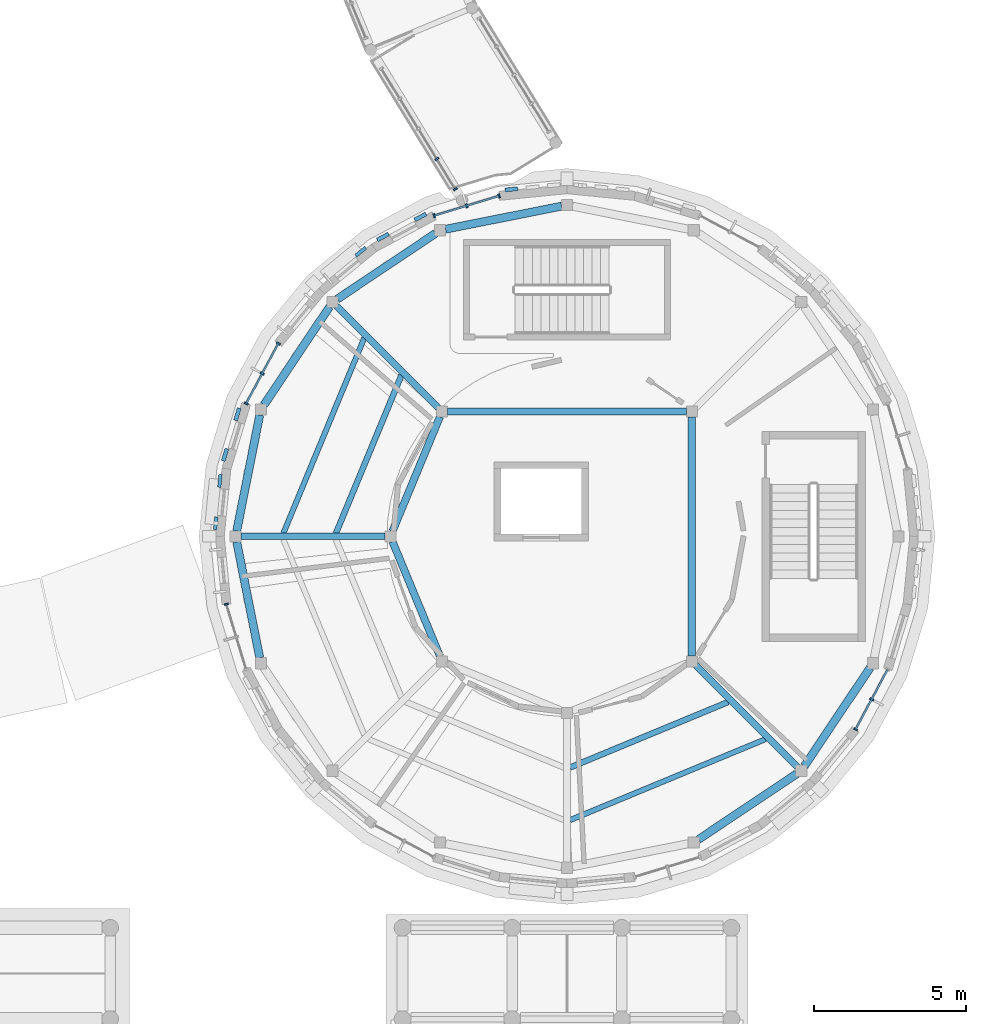
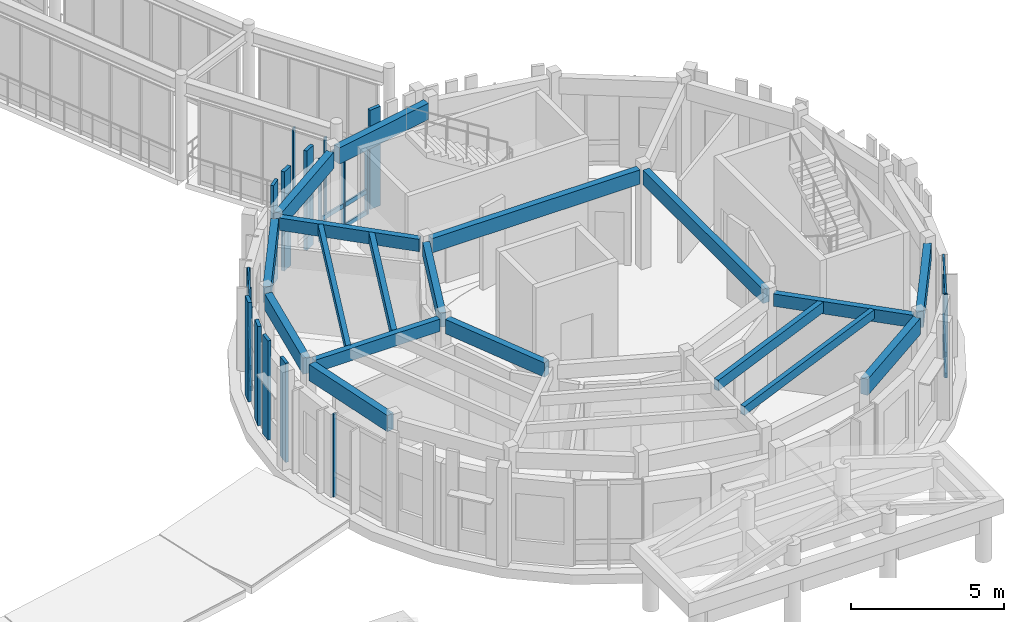
# One storey, part 23 of 80: 28 members, 18 beams, 5 elements without a shape of their own.
"""IFC4 building model written with IfcOpenShell, lengths in metres."""

from ifc_helpers import new_model, si_unit, direction, frame, origin, origin_2d, place, context, subcontext, project, spatial, rectangle, extrude, material, layer, layer_set, material_profile, profile_set, type_object, element, aggregate, save


model = new_model("IFC4")

# Units and contexts
model_context = context("Model", 3, precision=1e-05, world=origin(), true_north=direction((0.0, 1.0)))
body_context = subcontext(model_context, "Body", "Model", "MODEL_VIEW")
ifc_project = project(units=[si_unit("LENGTHUNIT", "METRE"), si_unit("AREAUNIT", "SQUARE_METRE"), si_unit("VOLUMEUNIT", "CUBIC_METRE"), si_unit("PLANEANGLEUNIT", "RADIAN"), si_unit("MASSUNIT", "GRAM", prefix="KILO")], contexts=[model_context])

# Site, building, storey
site_placement = place(None, origin())
site = spatial("IfcSite", under=ifc_project, at=site_placement, CompositionType="ELEMENT")
building_placement = place(site_placement, origin())
building = spatial("IfcBuilding", under=site, at=building_placement, Name="Aldenvaro Health Centre", CompositionType="ELEMENT")
storey_placement = place(building_placement, frame((0.0, 0.0, 4.550048828125)))
storey = spatial("IfcBuildingStorey", under=building, at=storey_placement, Name="L01", CompositionType="ELEMENT", Elevation=4.550048828125)

# Beams
ifc_material_1 = material(Name="Glulam GL28h", Category="wood")
ifc_material_profile_1 = material_profile(ifc_material_1, rectangle(XDim=0.175048828125, YDim=0.35009765625, at=origin_2d()), Name="GL 175x350", Category="wood")
ifc_profile_set_1 = profile_set([ifc_material_profile_1], Name="Glulam GL28h")
beam_type_1 = type_object("IfcBeamType", Name="BM-GL-350", PredefinedType="JOIST", material=ifc_profile_set_1)
for number, where, z_axis, x_axis, name in (
    (1, (147.843017578125, 25.01611328125, 3.780029296875), (-0.382677753705, -0.923881884669, 0.0), (0.923881884669, -0.382677753705, 0.0), "D6 L01 secondary joist 02.2"),
    (2, (154.59912109375, 9.18505859375, 3.780029296875), (0.923881884669, 0.382677753705, 0.0), (-0.382677753705, 0.923881884669, 0.0), "D6 L01 secondary joist 05.2"),
):
    element("IfcBeam", number, at=place(storey_placement, frame(where, z_axis=z_axis, x_axis=x_axis)), inside=storey, type_object=beam_type_1, Name=name, PredefinedType="JOIST", context=body_context, shape_type="SweptSolid", body=[
        extrude(rectangle(XDim=0.175048828125, YDim=0.35009765625, at=origin_2d()), origin(), (0.0, 0.0, 1.0), 6.94580078125),
    ])
ifc_material_profile_2 = material_profile(ifc_material_1, rectangle(XDim=0.18994140625, YDim=0.41796875, at=origin_2d()), Name="GL 190x418", Category="wood")
ifc_profile_set_2 = profile_set([ifc_material_profile_2], Name="Glulam GL28h")
beam_type_2 = type_object("IfcBeamType", Name="BM-GL-418", PredefinedType="JOIST", material=ifc_profile_set_2)
for number, where, z_axis, x_axis, name in (
    (3, (149.06494140625, 23.794921875, 3.745849609375), (-0.382783729155, -0.923837981842, 0.0), (0.923837981842, -0.382783729155, 0.0), "D6 L01 secondary joist 02.1"),
    (4, (154.59912109375, 10.912109375, 3.745849609375), (0.923837981842, 0.382783729155, 0.0), (-0.382783729155, 0.923837981842, 0.0), "D6 L01 secondary joist 05.1"),
):
    element("IfcBeam", number, at=place(storey_placement, frame(where, z_axis=z_axis, x_axis=x_axis)), inside=storey, type_object=beam_type_2, Name=name, PredefinedType="JOIST", context=body_context, shape_type="SweptSolid", body=[
        extrude(rectangle(XDim=0.18994140625, YDim=0.41796875, at=origin_2d()), origin(), (0.0, 0.0, 1.0), 5.624267578125),
    ])
ifc_material_profile_3 = material_profile(ifc_material_1, rectangle(XDim=0.215087890625, YDim=0.493896484375, at=origin_2d()), Name="GL 215x494", Category="wood")
ifc_profile_set_3 = profile_set([ifc_material_profile_3], Name="Glulam GL28h")
beam_type_3 = type_object("IfcBeamType", Name="BM-GL-494", PredefinedType="BEAM", material=ifc_profile_set_3)
beam_1_placement = place(storey_placement, frame((150.27001953125, 22.72998046875, 3.7080078125), z_axis=(-0.707106781187, 0.707106781187, 0.0), x_axis=(-0.707106781187, -0.707106781187, 0.0)))
element("IfcBeam", 5, at=beam_1_placement, inside=storey, type_object=beam_type_3, Name="D6 L01 radial beam 02", PredefinedType="BEAM", context=body_context, shape_type="SweptSolid", body=[
    extrude(rectangle(XDim=0.215087890625, YDim=0.493896484375, at=origin_2d()), origin(), (0.0, 0.0, 1.0), 4.715087890625),
])
beam_2_placement = place(storey_placement, frame((148.51708984375, 18.5, 3.7080078125), z_axis=(-1.0, 0.0, 0.0), x_axis=(0.0, -1.0, 0.0)))
element("IfcBeam", 6, at=beam_2_placement, inside=storey, type_object=beam_type_3, Name="D6 L01 radial beam 03", PredefinedType="BEAM", context=body_context, shape_type="SweptSolid", body=[
    extrude(rectangle(XDim=0.215087890625, YDim=0.493896484375, at=origin_2d()), origin(), (0.0, 0.0, 1.0), 4.714111328125),
])
beam_3_placement = place(storey_placement, frame((158.72998046875, 14.27001953125, 3.7080078125), z_axis=(0.707106781187, -0.707106781187, 0.0), x_axis=(0.707106781187, 0.707106781187, 0.0)))
element("IfcBeam", 7, at=beam_3_placement, inside=storey, type_object=beam_type_3, Name="D6 L01 radial beam 06", PredefinedType="BEAM", context=body_context, shape_type="SweptSolid", body=[
    extrude(rectangle(XDim=0.215087890625, YDim=0.493896484375, at=origin_2d()), origin(), (0.0, 0.0, 1.0), 4.715087890625),
])
ifc_material_profile_4 = material_profile(ifc_material_1, rectangle(XDim=0.239990234375, YDim=0.570068359375, at=origin_2d()), Name="GL 240x570", Category="wood")
ifc_profile_set_4 = profile_set([ifc_material_profile_4], Name="Glulam GL28h")
beam_type_4 = type_object("IfcBeamType", Name="BM-GL-570", PredefinedType="BEAM", material=ifc_profile_set_4)
beam_4_placement = place(storey_placement, frame((158.41796875, 22.60107421875, 3.669921875), z_axis=(-1.0, 0.0, 0.0), x_axis=(0.0, -1.0, 0.0)))
element("IfcBeam", 8, at=beam_4_placement, inside=storey, type_object=beam_type_4, Name="D6 L01 inner ring beam 01", PredefinedType="BEAM", context=body_context, shape_type="SweptSolid", body=[
    extrude(rectangle(XDim=0.239990234375, YDim=0.570068359375, at=origin_2d()), origin(), (0.0, 0.0, 1.0), 7.8359375),
])
for number, where, z_axis, x_axis, name in (
    (9, (150.3291015625, 22.431884765625, 3.669921875), (-0.382771753617, -0.923842943705, 0.0), (0.923842943705, -0.382771753617, 0.0), "D6 L01 inner ring beam 02"),
    (10, (148.77001953125, 18.3310546875, 3.669921875), (0.382771753617, -0.923842943705, 0.0), (0.923842943705, 0.382771753617, 0.0), "D6 L01 inner ring beam 03"),
):
    element("IfcBeam", number, at=place(storey_placement, frame(where, z_axis=z_axis, x_axis=x_axis)), inside=storey, type_object=beam_type_4, Name=name, PredefinedType="BEAM", context=body_context, shape_type="SweptSolid", body=[
        extrude(rectangle(XDim=0.239990234375, YDim=0.570068359375, at=origin_2d()), origin(), (0.0, 0.0, 1.0), 4.0732421875),
    ])
beam_5_placement = place(storey_placement, frame((158.60107421875, 14.5810546875, 3.669921875), z_axis=(0.0, 1.0, 0.0), x_axis=(-1.0, 0.0, 0.0)))
element("IfcBeam", 11, at=beam_5_placement, inside=storey, type_object=beam_type_4, Name="D6 L01 inner ring beam 06", PredefinedType="BEAM", context=body_context, shape_type="SweptSolid", body=[
    extrude(rectangle(XDim=0.239990234375, YDim=0.570068359375, at=origin_2d()), origin(), (0.0, 0.0, 1.0), 7.8369140625),
])
ifc_material_profile_5 = material_profile(ifc_material_1, rectangle(XDim=0.264892578125, YDim=0.64599609375, at=origin_2d()), Name="GL 265x646", Category="wood")
ifc_profile_set_5 = profile_set([ifc_material_profile_5], Name="Glulam GL28h")
beam_type_5 = type_object("IfcBeamType", Name="BM-GL-646", PredefinedType="SPANDREL", material=ifc_profile_set_5)
beam_6_placement = place(storey_placement, frame((154.321044921875, 29.343994140625, 3.6318359375), z_axis=(-0.98083392975, -0.19484558566, 0.0), x_axis=(0.19484558566, -0.98083392975, 0.0)))
element("IfcBeam", 12, at=beam_6_placement, inside=storey, type_object=beam_type_5, Name="D6 L01 perimeter spandrel 05", PredefinedType="SPANDREL", context=body_context, shape_type="SweptSolid", body=[
    extrude(rectangle(XDim=0.264892578125, YDim=0.64599609375, at=origin_2d()), origin(), (0.0, 0.0, 1.0), 3.880615234375),
])
for number, where, z_axis, x_axis, name in (
    (13, (150.18408203125, 28.450927734375, 3.6318359375), (-0.831226526072, -0.55593386509, 0.0), (0.55593386509, -0.831226526072, 0.0), "D6 L01 perimeter spandrel 06"),
    (14, (146.7060546875, 26.041015625, 3.6318359375), (-0.55593386509, -0.831226526072, 0.0), (0.831226526072, -0.55593386509, 0.0), "D6 L01 perimeter spandrel 07"),
):
    element("IfcBeam", number, at=place(storey_placement, frame(where, z_axis=z_axis, x_axis=x_axis)), inside=storey, type_object=beam_type_5, Name=name, PredefinedType="SPANDREL", context=body_context, shape_type="SweptSolid", body=[
        extrude(rectangle(XDim=0.264892578125, YDim=0.64599609375, at=origin_2d()), origin(), (0.0, 0.0, 1.0), 3.8798828125),
    ])
for number, where, z_axis, x_axis, name in (
    (15, (144.412109375, 22.485107421875, 3.6318359375), (-0.19484558566, -0.98083392975, 0.0), (0.98083392975, -0.19484558566, 0.0), "D6 L01 perimeter spandrel 08"),
    (16, (143.656005859375, 18.321044921875, 3.6318359375), (0.19484558566, -0.98083392975, 0.0), (0.98083392975, 0.19484558566, 0.0), "D6 L01 perimeter spandrel 09"),
):
    element("IfcBeam", number, at=place(storey_placement, frame(where, z_axis=z_axis, x_axis=x_axis)), inside=storey, type_object=beam_type_5, Name=name, PredefinedType="SPANDREL", context=body_context, shape_type="SweptSolid", body=[
        extrude(rectangle(XDim=0.264892578125, YDim=0.64599609375, at=origin_2d()), origin(), (0.0, 0.0, 1.0), 3.880615234375),
    ])
for number, where, z_axis, x_axis, name in (
    (17, (158.81591796875, 8.549072265625, 3.6318359375), (0.831226526072, 0.55593386509, 0.0), (-0.55593386509, 0.831226526072, 0.0), "D6 L01 perimeter spandrel 14"),
    (18, (162.2939453125, 10.958984375, 3.6318359375), (0.55593386509, 0.831226526072, 0.0), (-0.831226526072, 0.55593386509, 0.0), "D6 L01 perimeter spandrel 15"),
):
    element("IfcBeam", number, at=place(storey_placement, frame(where, z_axis=z_axis, x_axis=x_axis)), inside=storey, type_object=beam_type_5, Name=name, PredefinedType="SPANDREL", context=body_context, shape_type="SweptSolid", body=[
        extrude(rectangle(XDim=0.264892578125, YDim=0.64599609375, at=origin_2d()), origin(), (0.0, 0.0, 1.0), 3.8798828125),
    ])

# Curtain wall, members
ifc_material_2 = material(Name="Anodised Aluminium 6063-T6", Category="aluminium")
ifc_layer_1 = layer(ifc_material_2, 0.195068359375, Name="Anodised Aluminium 6063-T6", Category="aluminium")
ifc_layer_set_1 = layer_set([ifc_layer_1], Name="Anodised Aluminium 6063-T6")
curtain_wall_type_1 = type_object("IfcCurtainWallType", Name="CW-CLN-02", PredefinedType="NOTDEFINED", material=ifc_layer_set_1)
curtain_wall_1_placement = place(storey_placement, origin())
curtain_wall_1 = element("IfcCurtainWall", 19, at=curtain_wall_1_placement, inside=storey, type_object=curtain_wall_type_1, Name="D6 L01 curtain wall bay 03", PredefinedType="NOTDEFINED")
ifc_material_profile_6 = material_profile(ifc_material_2, rectangle(XDim=0.06005859375, YDim=0.135009765625, at=origin_2d()), Name="ALU 60x135", Category="aluminium")
ifc_profile_set_6 = profile_set([ifc_material_profile_6], Name="Anodised Aluminium 6063-T6")
member_type_1 = type_object("IfcMemberType", Name="CWM-150", PredefinedType="MULLION", material=ifc_profile_set_6)
member_1_placement = place(storey_placement, frame((164.506103515625, 13.152099609375, 0.0), z_axis=(0.0, 0.0, 1.0), x_axis=(-0.471215232797, -0.882018256263, 0.0)))
member_1 = element("IfcMember", 20, at=member_1_placement, type_object=member_type_1, Name="D6 L01 curtain wall bay 03 mullion 2", PredefinedType="MULLION", context=body_context, shape_type="SweptSolid", body=[
    extrude(rectangle(XDim=0.06005859375, YDim=0.135009765625, at=origin_2d()), origin(), (0.0, 0.0, 1.0), 3.308837890625),
])
member_2_placement = place(storey_placement, frame((163.97900390625, 12.166015625, 0.0), z_axis=(0.0, 0.0, 1.0), x_axis=(-0.471215232797, -0.882018256263, 0.0)))
member_2 = element("IfcMember", 21, at=member_2_placement, type_object=member_type_1, Name="D6 L01 curtain wall bay 03 mullion 3", PredefinedType="MULLION", context=body_context, shape_type="SweptSolid", body=[
    extrude(rectangle(XDim=0.06005859375, YDim=0.135009765625, at=origin_2d()), origin(), (0.0, 0.0, 1.0), 3.308837890625),
])

# Curtain wall, member
curtain_wall_2_placement = place(storey_placement, origin())
curtain_wall_2 = element("IfcCurtainWall", 22, at=curtain_wall_2_placement, inside=storey, type_object=curtain_wall_type_1, Name="D6 L01 curtain wall bay 15", PredefinedType="NOTDEFINED")
member_3_placement = place(storey_placement, frame((143.319091796875, 16.27587890625, 0.0), z_axis=(0.0, 0.0, 1.0), x_axis=(-0.290342622208, 0.956922756407, 0.0)))
member_3 = element("IfcMember", 23, at=member_3_placement, type_object=member_type_1, Name="D6 L01 curtain wall bay 15 mullion 3", PredefinedType="MULLION", context=body_context, shape_type="SweptSolid", body=[
    extrude(rectangle(XDim=0.06005859375, YDim=0.135009765625, at=origin_2d()), origin(), (0.0, 0.0, 1.0), 3.308837890625),
])
aggregate(curtain_wall_2, [member_3])

# Curtain wall, members
curtain_wall_3_placement = place(storey_placement, origin())
curtain_wall_3 = element("IfcCurtainWall", 24, at=curtain_wall_3_placement, inside=storey, type_object=curtain_wall_type_1, Name="D6 L01 curtain wall bay 19", PredefinedType="NOTDEFINED")
member_4_placement = place(storey_placement, frame((143.968017578125, 22.863037109375, 0.0), z_axis=(0.0, 0.0, 1.0), x_axis=(0.471215232797, 0.882018256263, 0.0)))
member_4 = element("IfcMember", 25, at=member_4_placement, type_object=member_type_1, Name="D6 L01 curtain wall bay 19 mullion 1", PredefinedType="MULLION", context=body_context, shape_type="SweptSolid", body=[
    extrude(rectangle(XDim=0.06005859375, YDim=0.135009765625, at=origin_2d()), origin(), (0.0, 0.0, 1.0), 3.308837890625),
])
member_5_placement = place(storey_placement, frame((144.493896484375, 23.84912109375, 0.0), z_axis=(0.0, 0.0, 1.0), x_axis=(0.471215232797, 0.882018256263, 0.0)))
member_5 = element("IfcMember", 26, at=member_5_placement, type_object=member_type_1, Name="D6 L01 curtain wall bay 19 mullion 2", PredefinedType="MULLION", context=body_context, shape_type="SweptSolid", body=[
    extrude(rectangle(XDim=0.06005859375, YDim=0.135009765625, at=origin_2d()), origin(), (0.0, 0.0, 1.0), 3.308837890625),
])
member_6_placement = place(storey_placement, frame((145.02099609375, 24.833984375, 0.0), z_axis=(0.0, 0.0, 1.0), x_axis=(0.471215232797, 0.882018256263, 0.0)))
member_6 = element("IfcMember", 27, at=member_6_placement, type_object=member_type_1, Name="D6 L01 curtain wall bay 19 mullion 3", PredefinedType="MULLION", context=body_context, shape_type="SweptSolid", body=[
    extrude(rectangle(XDim=0.06005859375, YDim=0.135009765625, at=origin_2d()), origin(), (0.0, 0.0, 1.0), 3.308837890625),
])

curtain_wall_4_placement = place(storey_placement, origin())
curtain_wall_4 = element("IfcCurtainWall", 28, at=curtain_wall_4_placement, inside=storey, type_object=curtain_wall_type_1, Name="D6 L01 curtain wall bay 23", PredefinedType="NOTDEFINED")
member_7_placement = place(storey_placement, frame((150.136962890625, 29.031982421875, 0.0), z_axis=(0.0, 0.0, 1.0), x_axis=(0.956922756407, 0.290342622208, 0.0)))
member_7 = element("IfcMember", 29, at=member_7_placement, type_object=member_type_1, Name="D6 L01 curtain wall bay 23 mullion 1", PredefinedType="MULLION", context=body_context, shape_type="SweptSolid", body=[
    extrude(rectangle(XDim=0.06005859375, YDim=0.135009765625, at=origin_2d()), origin(), (0.0, 0.0, 1.0), 3.308837890625),
])
member_8_placement = place(storey_placement, frame((151.20703125, 29.35693359375, 0.0), z_axis=(0.0, 0.0, 1.0), x_axis=(0.956922756407, 0.290342622208, 0.0)))
member_8 = element("IfcMember", 30, at=member_8_placement, type_object=member_type_1, Name="D6 L01 curtain wall bay 23 mullion 2", PredefinedType="MULLION", context=body_context, shape_type="SweptSolid", body=[
    extrude(rectangle(XDim=0.06005859375, YDim=0.135009765625, at=origin_2d()), origin(), (0.0, 0.0, 1.0), 3.308837890625),
])
member_9_placement = place(storey_placement, frame((152.27587890625, 29.680908203125, 0.0), z_axis=(0.0, 0.0, 1.0), x_axis=(0.956922756407, 0.290342622208, 0.0)))
member_9 = element("IfcMember", 31, at=member_9_placement, type_object=member_type_1, Name="D6 L01 curtain wall bay 23 mullion 3", PredefinedType="MULLION", context=body_context, shape_type="SweptSolid", body=[
    extrude(rectangle(XDim=0.06005859375, YDim=0.135009765625, at=origin_2d()), origin(), (0.0, 0.0, 1.0), 3.308837890625),
])

ifc_layer_2 = layer(ifc_material_2, 0.2099609375, Name="Anodised Aluminium 6063-T6", Category="aluminium")
ifc_layer_set_2 = layer_set([ifc_layer_2], Name="Anodised Aluminium 6063-T6")
curtain_wall_type_2 = type_object("IfcCurtainWallType", Name="CW-BRG-03", PredefinedType="NOTDEFINED", material=ifc_layer_set_2)
curtain_wall_5_placement = place(storey_placement, origin())
curtain_wall_5 = element("IfcCurtainWall", 32, at=curtain_wall_5_placement, inside=storey, type_object=curtain_wall_type_2, Name="East Curved Garden Colonnade Arc 8 L01 glazed link wall R-1.1", PredefinedType="NOTDEFINED")
member_10_placement = place(storey_placement, frame((150.22900390625, 30.89306640625, 0.0), z_axis=(0.0, 0.0, 1.0), x_axis=(0.522476308425, -0.852653802627, 0.0)))
member_10 = element("IfcMember", 33, at=member_10_placement, type_object=member_type_1, Name="East Curved Garden Colonnade Arc 8 L01 glazed link wall R-1.1 mullion 4", PredefinedType="MULLION", context=body_context, shape_type="SweptSolid", body=[
    extrude(rectangle(XDim=0.06005859375, YDim=0.135009765625, at=origin_2d()), origin(), (0.0, 0.0, 1.0), 3.409912109375),
])
member_11_placement = place(storey_placement, frame((150.8359375, 29.902099609375, 0.0), z_axis=(0.0, 0.0, 1.0), x_axis=(0.522476308425, -0.852653802627, 0.0)))
member_11 = element("IfcMember", 34, at=member_11_placement, type_object=member_type_1, Name="East Curved Garden Colonnade Arc 8 L01 glazed link wall R-1.1 mullion 5", PredefinedType="MULLION", context=body_context, shape_type="SweptSolid", body=[
    extrude(rectangle(XDim=0.06005859375, YDim=0.135009765625, at=origin_2d()), origin(), (0.0, 0.0, 1.0), 3.409912109375),
])
aggregate(curtain_wall_5, [member_10, member_11])

# Member
ifc_material_profile_7 = material_profile(ifc_material_2, rectangle(XDim=0.06494140625, YDim=0.179931640625, at=origin_2d()), Name="ALU 65x180", Category="aluminium")
ifc_profile_set_7 = profile_set([ifc_material_profile_7], Name="Anodised Aluminium 6063-T6")
member_type_2 = type_object("IfcMemberType", Name="CWT-150", PredefinedType="USERDEFINED", material=ifc_profile_set_7)
member_12_placement = place(storey_placement, frame((165.031982421875, 14.136962890625, 0.06005859375), z_axis=(-0.471217561446, -0.882017012185, 0.0), x_axis=(0.882017012185, -0.471217561446, 0.0)))
member_12 = element("IfcMember", 35, at=member_12_placement, type_object=member_type_2, Name="D6 L01 curtain wall bay 03 transom 1", ObjectType="TRANSOM", PredefinedType="USERDEFINED", context=body_context, shape_type="SweptSolid", body=[
    extrude(rectangle(XDim=0.06494140625, YDim=0.179931640625, at=origin_2d()), origin(), (0.0, 0.0, 1.0), 2.234619140625),
])

member_13_placement = place(storey_placement, frame((165.031982421875, 14.136962890625, 0.89990234375), z_axis=(-0.471217561446, -0.882017012185, 0.0), x_axis=(0.882017012185, -0.471217561446, 0.0)))
member_13 = element("IfcMember", 36, at=member_13_placement, type_object=member_type_2, Name="D6 L01 curtain wall bay 03 transom 2", ObjectType="TRANSOM", PredefinedType="USERDEFINED", context=body_context, shape_type="SweptSolid", body=[
    extrude(rectangle(XDim=0.06494140625, YDim=0.179931640625, at=origin_2d()), origin(), (0.0, 0.0, 1.0), 2.234619140625),
])

member_14_placement = place(storey_placement, frame((165.031982421875, 14.136962890625, 3.2490234375), z_axis=(-0.471217561446, -0.882017012185, 0.0), x_axis=(0.882017012185, -0.471217561446, 0.0)))
member_14 = element("IfcMember", 37, at=member_14_placement, type_object=member_type_2, Name="D6 L01 curtain wall bay 03 transom 3", ObjectType="TRANSOM", PredefinedType="USERDEFINED", context=body_context, shape_type="SweptSolid", body=[
    extrude(rectangle(XDim=0.06494140625, YDim=0.179931640625, at=origin_2d()), origin(), (0.0, 0.0, 1.0), 2.234619140625),
])

aggregate(curtain_wall_1, [member_1, member_2, member_12, member_13, member_14])

member_15_placement = place(storey_placement, frame((143.968017578125, 22.863037109375, 0.06005859375), z_axis=(0.471217561446, 0.882017012185, 0.0), x_axis=(-0.882017012185, 0.471217561446, 0.0)))
member_15 = element("IfcMember", 38, at=member_15_placement, type_object=member_type_2, Name="D6 L01 curtain wall bay 19 transom 1", ObjectType="TRANSOM", PredefinedType="USERDEFINED", context=body_context, shape_type="SweptSolid", body=[
    extrude(rectangle(XDim=0.06494140625, YDim=0.179931640625, at=origin_2d()), origin(), (0.0, 0.0, 1.0), 2.234619140625),
])

member_16_placement = place(storey_placement, frame((143.968017578125, 22.863037109375, 0.89990234375), z_axis=(0.471217561446, 0.882017012185, 0.0), x_axis=(-0.882017012185, 0.471217561446, 0.0)))
member_16 = element("IfcMember", 39, at=member_16_placement, type_object=member_type_2, Name="D6 L01 curtain wall bay 19 transom 2", ObjectType="TRANSOM", PredefinedType="USERDEFINED", context=body_context, shape_type="SweptSolid", body=[
    extrude(rectangle(XDim=0.06494140625, YDim=0.179931640625, at=origin_2d()), origin(), (0.0, 0.0, 1.0), 2.234619140625),
])

member_17_placement = place(storey_placement, frame((143.968017578125, 22.863037109375, 3.2490234375), z_axis=(0.471217561446, 0.882017012185, 0.0), x_axis=(-0.882017012185, 0.471217561446, 0.0)))
member_17 = element("IfcMember", 40, at=member_17_placement, type_object=member_type_2, Name="D6 L01 curtain wall bay 19 transom 3", ObjectType="TRANSOM", PredefinedType="USERDEFINED", context=body_context, shape_type="SweptSolid", body=[
    extrude(rectangle(XDim=0.06494140625, YDim=0.179931640625, at=origin_2d()), origin(), (0.0, 0.0, 1.0), 2.234619140625),
])

aggregate(curtain_wall_3, [member_4, member_5, member_6, member_15, member_16, member_17])

member_18_placement = place(storey_placement, frame((150.136962890625, 29.031982421875, 0.06005859375), z_axis=(0.956928814218, 0.290322655883, 0.0), x_axis=(-0.290322655883, 0.956928814218, 0.0)))
member_18 = element("IfcMember", 41, at=member_18_placement, type_object=member_type_2, Name="D6 L01 curtain wall bay 23 transom 1", ObjectType="TRANSOM", PredefinedType="USERDEFINED", context=body_context, shape_type="SweptSolid", body=[
    extrude(rectangle(XDim=0.06494140625, YDim=0.179931640625, at=origin_2d()), origin(), (0.0, 0.0, 1.0), 2.235107421875),
])

member_19_placement = place(storey_placement, frame((150.136962890625, 29.031982421875, 0.89990234375), z_axis=(0.956928814218, 0.290322655883, 0.0), x_axis=(-0.290322655883, 0.956928814218, 0.0)))
member_19 = element("IfcMember", 42, at=member_19_placement, type_object=member_type_2, Name="D6 L01 curtain wall bay 23 transom 2", ObjectType="TRANSOM", PredefinedType="USERDEFINED", context=body_context, shape_type="SweptSolid", body=[
    extrude(rectangle(XDim=0.06494140625, YDim=0.179931640625, at=origin_2d()), origin(), (0.0, 0.0, 1.0), 2.235107421875),
])

member_20_placement = place(storey_placement, frame((150.136962890625, 29.031982421875, 3.2490234375), z_axis=(0.956928814218, 0.290322655883, 0.0), x_axis=(-0.290322655883, 0.956928814218, 0.0)))
member_20 = element("IfcMember", 43, at=member_20_placement, type_object=member_type_2, Name="D6 L01 curtain wall bay 23 transom 3", ObjectType="TRANSOM", PredefinedType="USERDEFINED", context=body_context, shape_type="SweptSolid", body=[
    extrude(rectangle(XDim=0.06494140625, YDim=0.179931640625, at=origin_2d()), origin(), (0.0, 0.0, 1.0), 2.235107421875),
])

aggregate(curtain_wall_4, [member_7, member_8, member_9, member_18, member_19, member_20])

# Members
ifc_material_profile_8 = material_profile(ifc_material_1, rectangle(XDim=0.114990234375, YDim=0.419921875, at=origin_2d()), Name="GL 115x420", Category="wood")
ifc_profile_set_8 = profile_set([ifc_material_profile_8], Name="Glulam GL28h")
member_type_3 = type_object("IfcMemberType", Name="MEM-SLT-420A", PredefinedType="POST", material=ifc_profile_set_8)
for number, where, z_axis, x_axis, name in (
    (44, (142.967041015625, 18.93505859375, 0.0), (0.0, 0.0, 1.0), (-0.995186685493, 0.097997250052, 0.0), "D6 L01 vertical timber slat 17.1"),
    (45, (143.10400390625, 20.322998046875, 0.0), (0.0, 0.0, 1.0), (-0.995186685493, 0.097997250052, 0.0), "D6 L01 vertical timber slat 17.3"),
    (46, (147.72998046875, 27.847900390625, 0.0), (0.0, 0.0, 1.0), (-0.634577172169, 0.772859503767, 0.0), "D6 L01 vertical timber slat 21.3"),
):
    element("IfcMember", number, at=place(storey_placement, frame(where, z_axis=z_axis, x_axis=x_axis)), inside=storey, type_object=member_type_3, Name=name, PredefinedType="POST", context=body_context, shape_type="SweptSolid", body=[
        extrude(rectangle(XDim=0.114990234375, YDim=0.419921875, at=origin_2d()), origin(), (0.0, 0.0, 1.0), 3.954833984375),
    ])
ifc_material_profile_9 = material_profile(ifc_material_1, rectangle(XDim=0.1298828125, YDim=0.419921875, at=origin_2d()), Name="GL 130x420", Category="wood")
ifc_profile_set_9 = profile_set([ifc_material_profile_9], Name="Glulam GL28h")
member_type_4 = type_object("IfcMemberType", Name="MEM-SLT-420B", PredefinedType="POST", material=ifc_profile_set_9)
for number, where, z_axis, x_axis, name in (
    (47, (143.27294921875, 21.177001953125, 0.0), (0.0, 0.0, 1.0), (-0.956922756407, 0.290342622208, 0.0), "D6 L01 vertical timber slat 18.1"),
    (48, (143.678955078125, 22.511962890625, 0.0), (0.0, 0.0, 1.0), (-0.956922756407, 0.290342622208, 0.0), "D6 L01 vertical timber slat 18.3"),
    (49, (148.4541015625, 28.3310546875, 0.0), (0.0, 0.0, 1.0), (-0.471215232797, 0.882018256263, 0.0), "D6 L01 vertical timber slat 22.1"),
    (50, (149.68408203125, 28.988037109375, 0.0), (0.0, 0.0, 1.0), (-0.471215232797, 0.882018256263, 0.0), "D6 L01 vertical timber slat 22.3"),
    (51, (152.677001953125, 29.89599609375, 0.0), (0.0, 0.0, 1.0), (-0.097997250052, 0.995186685493, 0.0), "D6 L01 vertical timber slat 24.1"),
):
    element("IfcMember", number, at=place(storey_placement, frame(where, z_axis=z_axis, x_axis=x_axis)), inside=storey, type_object=member_type_4, Name=name, PredefinedType="POST", context=body_context, shape_type="SweptSolid", body=[
        extrude(rectangle(XDim=0.1298828125, YDim=0.419921875, at=origin_2d()), origin(), (0.0, 0.0, 1.0), 3.954833984375),
    ])

save(model, "model.ifc")
